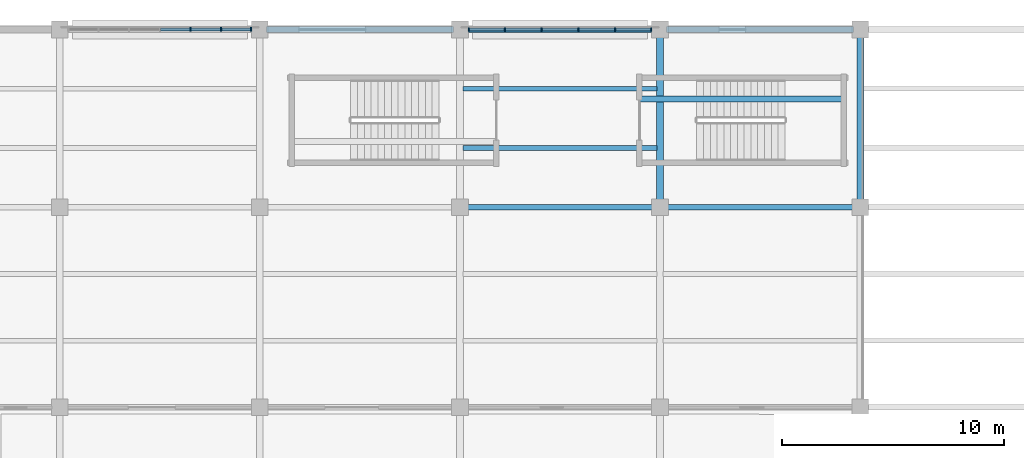
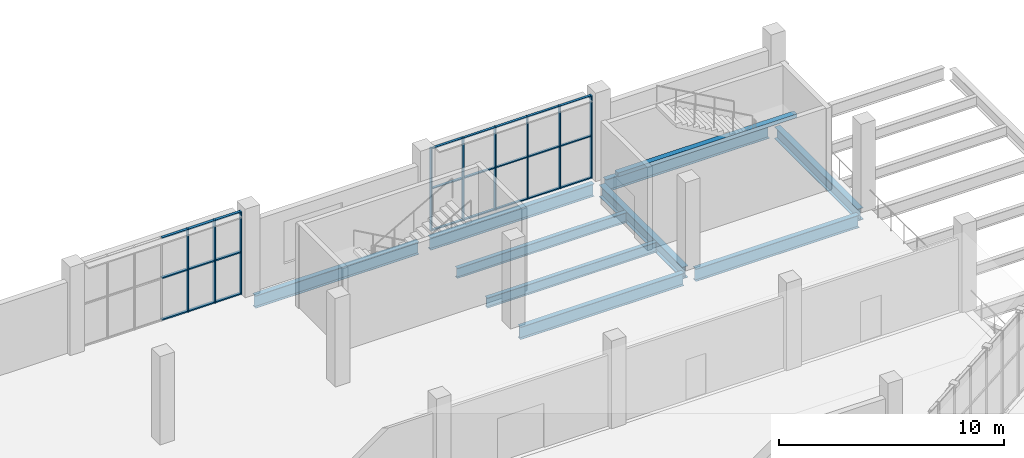
# One storey, part 56 of 179: 33 members, 10 beams, 2 elements without a shape of their own.
"""IFC4 building model written with IfcOpenShell, lengths in metres."""

from ifc_helpers import new_model, si_unit, direction, frame, origin, origin_2d, place, context, subcontext, project, spatial, rectangle, i_section, extrude, material, material_profile, profile_set, type_object, element, aggregate, save


model = new_model("IFC4")

# Units and contexts
model_context = context("Model", 3, precision=1e-05, world=origin(), true_north=direction((0.0, 1.0)))
body_context = subcontext(model_context, "Body", "Model", "MODEL_VIEW")
ifc_project = project(units=[si_unit("LENGTHUNIT", "METRE"), si_unit("AREAUNIT", "SQUARE_METRE"), si_unit("VOLUMEUNIT", "CUBIC_METRE"), si_unit("PLANEANGLEUNIT", "RADIAN"), si_unit("MASSUNIT", "GRAM", prefix="KILO")], contexts=[model_context])

# Site, building, storey
site_placement = place(None, origin())
site = spatial("IfcSite", under=ifc_project, at=site_placement, CompositionType="ELEMENT")
building_placement = place(site_placement, origin())
building = spatial("IfcBuilding", under=site, at=building_placement, Name="Zevraka Park Crest Stadium", CompositionType="ELEMENT")
storey_placement = place(building_placement, frame((0.0, 0.0, 10.199951171875)))
storey = spatial("IfcBuildingStorey", under=building, at=storey_placement, Name="L02", CompositionType="ELEMENT", Elevation=10.199951171875)

# Beams
ifc_material_1 = material(Name="Steel S355", Category="steel")
ifc_material_profile_1 = material_profile(ifc_material_1, i_section(OverallWidth=0.253662109375, OverallDepth=0.68359375, WebThickness=0.012451171875, FlangeThickness=0.01904296875, at=origin_2d()), Name="UKB 686x254x140")
ifc_profile_set_1 = profile_set([ifc_material_profile_1], Name="Steel S355")
beam_type_1 = type_object("IfcBeamType", Name="BG05", PredefinedType="BEAM", material=ifc_profile_set_1)
for number, where, z_axis, x_axis, name in (
    (1, (36.300048828125, 184.0, -0.629638671875), (1.0, 0.0, 0.0), (0.0, 1.0, 0.0), "Wing Girder BG05 L02-56/W"),
    (2, (45.300048828125, 176.0, -0.629638671875), (1.0, 0.0, 0.0), (0.0, 1.0, 0.0), "Wing Girder BG05 L02-67/V"),
    (3, (45.300048828125, 184.0, -0.629638671875), (1.0, 0.0, 0.0), (0.0, 1.0, 0.0), "Wing Girder BG05 L02-67/W"),
    (4, (54.300048828125, 176.0, -0.629638671875), (1.0, 0.0, 0.0), (0.0, 1.0, 0.0), "Wing Girder BG05 L02-78/V"),
    (5, (54.300048828125, 184.0, -0.629638671875), (1.0, 0.0, 0.0), (0.0, 1.0, 0.0), "Wing Girder BG05 L02-78/W"),
):
    element("IfcBeam", number, at=place(storey_placement, frame(where, z_axis=z_axis, x_axis=x_axis)), inside=storey, type_object=beam_type_1, Name=name, PredefinedType="BEAM", context=body_context, shape_type="SweptSolid", body=[
        extrude(i_section(OverallWidth=0.253662109375, OverallDepth=0.68359375, WebThickness=0.012451171875, FlangeThickness=0.01904296875, at=origin_2d()), origin(), (0.0, 0.0, 1.0), 8.39990234375),
    ])
ifc_material_2 = material(Name="Steel S355", Category="steel")
ifc_material_profile_2 = material_profile(ifc_material_2, i_section(OverallWidth=0.300048828125, OverallDepth=0.64990234375, WebThickness=0.01611328125, FlangeThickness=0.031005859375, at=origin_2d()), Name="HEB 650")
ifc_profile_set_2 = profile_set([ifc_material_profile_2], Name="Steel S355")
beam_type_2 = type_object("IfcBeamType", Name="BG07", PredefinedType="BEAM", material=ifc_profile_set_2)
for number, where, z_axis, x_axis, name in (
    (6, (54.0, 176.300048828125, -0.613037109375), (0.0, 1.0, 0.0), (-1.0, 0.0, 0.0), "Wing Girder BG07 L02-7/VW"),
    (7, (63.0, 176.300048828125, -0.613037109375), (0.0, 1.0, 0.0), (-1.0, 0.0, 0.0), "Wing Girder BG07 L02-8/VW"),
):
    element("IfcBeam", number, at=place(storey_placement, frame(where, z_axis=z_axis, x_axis=x_axis)), inside=storey, type_object=beam_type_2, Name=name, PredefinedType="BEAM", context=body_context, shape_type="SweptSolid", body=[
        extrude(i_section(OverallWidth=0.300048828125, OverallDepth=0.64990234375, WebThickness=0.01611328125, FlangeThickness=0.031005859375, at=origin_2d()), origin(), (0.0, 0.0, 1.0), 7.39990234375),
    ])

# Curtain wall, members
ifc_material_3 = material(Name="Anodised architectural aluminium and laminated safety glass", Category="aluminium")
curtain_wall_type_1 = type_object("IfcCurtainWallType", Name="CW28", PredefinedType="NOTDEFINED", material=ifc_material_3)
curtain_wall_1_placement = place(storey_placement, origin())
curtain_wall_1 = element("IfcCurtainWall", 8, at=curtain_wall_1_placement, inside=storey, type_object=curtain_wall_type_1, Name="Wing Curtain Wall CW28 L02-NW-N2-6", PredefinedType="NOTDEFINED")
ifc_material_4 = material(Name="Anodised architectural aluminium", Category="aluminium")
ifc_material_profile_3 = material_profile(ifc_material_4, rectangle(XDim=0.159912109375, YDim=0.06005859375, at=origin_2d()), Name="ALU MULLION 160x60")
ifc_profile_set_3 = profile_set([ifc_material_profile_3], Name="Anodised architectural aluminium")
member_type_1 = type_object("IfcMemberType", Name="CM01", PredefinedType="MULLION", material=ifc_profile_set_3)
member_1_placement = place(storey_placement, frame((45.39501953125, 184.0, 0.0), z_axis=(0.0, 0.0, 1.0), x_axis=(0.0, 1.0, 0.0)))
member_1 = element("IfcMember", 9, at=member_1_placement, type_object=member_type_1, Name="CW28 mullion 1", PredefinedType="MULLION", context=body_context, shape_type="SweptSolid", body=[
    extrude(rectangle(XDim=0.159912109375, YDim=0.06005859375, at=origin_2d()), origin(), (0.0, 0.0, 1.0), 4.5),
])
member_2_placement = place(storey_placement, frame((47.01904296875, 184.0, 0.0), z_axis=(0.0, 0.0, 1.0), x_axis=(0.0, 1.0, 0.0)))
member_2 = element("IfcMember", 10, at=member_2_placement, type_object=member_type_1, Name="CW28 mullion 2", PredefinedType="MULLION", context=body_context, shape_type="SweptSolid", body=[
    extrude(rectangle(XDim=0.159912109375, YDim=0.06005859375, at=origin_2d()), origin(), (0.0, 0.0, 1.0), 4.5),
])
member_3_placement = place(storey_placement, frame((48.673095703125, 184.0, 0.0), z_axis=(0.0, 0.0, 1.0), x_axis=(0.0, 1.0, 0.0)))
member_3 = element("IfcMember", 11, at=member_3_placement, type_object=member_type_1, Name="CW28 mullion 3", PredefinedType="MULLION", context=body_context, shape_type="SweptSolid", body=[
    extrude(rectangle(XDim=0.159912109375, YDim=0.06005859375, at=origin_2d()), origin(), (0.0, 0.0, 1.0), 4.5),
])
member_4_placement = place(storey_placement, frame((50.326904296875, 184.0, 0.0), z_axis=(0.0, 0.0, 1.0), x_axis=(0.0, 1.0, 0.0)))
member_4 = element("IfcMember", 12, at=member_4_placement, type_object=member_type_1, Name="CW28 mullion 4", PredefinedType="MULLION", context=body_context, shape_type="SweptSolid", body=[
    extrude(rectangle(XDim=0.159912109375, YDim=0.06005859375, at=origin_2d()), origin(), (0.0, 0.0, 1.0), 4.5),
])
member_5_placement = place(storey_placement, frame((51.98095703125, 184.0, 0.0), z_axis=(0.0, 0.0, 1.0), x_axis=(0.0, 1.0, 0.0)))
member_5 = element("IfcMember", 13, at=member_5_placement, type_object=member_type_1, Name="CW28 mullion 5", PredefinedType="MULLION", context=body_context, shape_type="SweptSolid", body=[
    extrude(rectangle(XDim=0.159912109375, YDim=0.06005859375, at=origin_2d()), origin(), (0.0, 0.0, 1.0), 4.5),
])
member_6_placement = place(storey_placement, frame((53.60498046875, 184.0, 0.0), z_axis=(0.0, 0.0, 1.0), x_axis=(0.0, 1.0, 0.0)))
member_6 = element("IfcMember", 14, at=member_6_placement, type_object=member_type_1, Name="CW28 mullion 6", PredefinedType="MULLION", context=body_context, shape_type="SweptSolid", body=[
    extrude(rectangle(XDim=0.159912109375, YDim=0.06005859375, at=origin_2d()), origin(), (0.0, 0.0, 1.0), 4.5),
])

ifc_material_5 = material(Name="Anodised architectural aluminium and laminated safety glass", Category="aluminium")
curtain_wall_type_2 = type_object("IfcCurtainWallType", Name="CW26", PredefinedType="NOTDEFINED", material=ifc_material_5)
curtain_wall_2_placement = place(storey_placement, origin())
curtain_wall_2 = element("IfcCurtainWall", 15, at=curtain_wall_2_placement, inside=storey, type_object=curtain_wall_type_2, Name="Wing Curtain Wall CW26 L02-NW-N2-4", PredefinedType="NOTDEFINED")
ifc_material_6 = material(Name="Anodised architectural aluminium", Category="aluminium")
ifc_material_profile_4 = material_profile(ifc_material_6, rectangle(XDim=0.179931640625, YDim=0.06494140625, at=origin_2d()), Name="ALU MULLION 180x65")
ifc_profile_set_4 = profile_set([ifc_material_profile_4], Name="Anodised architectural aluminium")
member_type_2 = type_object("IfcMemberType", Name="CM02", PredefinedType="MULLION", material=ifc_profile_set_4)
member_7_placement = place(storey_placement, frame((32.87841796875, 184.0, 0.0), z_axis=(0.0, 0.0, 1.0), x_axis=(0.0, 1.0, 0.0)))
member_7 = element("IfcMember", 16, at=member_7_placement, type_object=member_type_2, Name="CW26 mullion 5", PredefinedType="MULLION", context=body_context, shape_type="SweptSolid", body=[
    extrude(rectangle(XDim=0.179931640625, YDim=0.06494140625, at=origin_2d()), origin(), (0.0, 0.0, 1.0), 4.5),
])
member_8_placement = place(storey_placement, frame((34.256591796875, 184.0, 0.0), z_axis=(0.0, 0.0, 1.0), x_axis=(0.0, 1.0, 0.0)))
member_8 = element("IfcMember", 17, at=member_8_placement, type_object=member_type_2, Name="CW26 mullion 6", PredefinedType="MULLION", context=body_context, shape_type="SweptSolid", body=[
    extrude(rectangle(XDim=0.179931640625, YDim=0.06494140625, at=origin_2d()), origin(), (0.0, 0.0, 1.0), 4.5),
])
member_9_placement = place(storey_placement, frame((35.6025390625, 184.0, 0.0), z_axis=(0.0, 0.0, 1.0), x_axis=(0.0, 1.0, 0.0)))
member_9 = element("IfcMember", 18, at=member_9_placement, type_object=member_type_2, Name="CW26 mullion 7", PredefinedType="MULLION", context=body_context, shape_type="SweptSolid", body=[
    extrude(rectangle(XDim=0.179931640625, YDim=0.06494140625, at=origin_2d()), origin(), (0.0, 0.0, 1.0), 4.5),
])

# Member
ifc_material_7 = material(Name="Anodised architectural aluminium", Category="aluminium")
ifc_material_profile_5 = material_profile(ifc_material_7, rectangle(XDim=0.1201171875, YDim=0.06005859375, at=origin_2d()), Name="ALU TRANSOM 120x60")
ifc_profile_set_5 = profile_set([ifc_material_profile_5], Name="Anodised architectural aluminium")
member_type_3 = type_object("IfcMemberType", Name="CT01", PredefinedType="USERDEFINED", material=ifc_profile_set_5)
member_10_placement = place(storey_placement, frame((45.425048828125, 184.0, 0.030029296875), z_axis=(1.0, 0.0, 0.0), x_axis=(0.0, 1.0, 0.0)))
member_10 = element("IfcMember", 19, at=member_10_placement, type_object=member_type_3, Name="CW28 transom 1.1", ObjectType="TRANSOM", PredefinedType="USERDEFINED", context=body_context, shape_type="SweptSolid", body=[
    extrude(rectangle(XDim=0.1201171875, YDim=0.06005859375, at=origin_2d()), origin(), (0.0, 0.0, 1.0), 1.56396484375),
])

member_11_placement = place(storey_placement, frame((45.425048828125, 184.0, 2.300048828125), z_axis=(1.0, 0.0, 0.0), x_axis=(0.0, 1.0, 0.0)))
member_11 = element("IfcMember", 20, at=member_11_placement, type_object=member_type_3, Name="CW28 transom 1.2", ObjectType="TRANSOM", PredefinedType="USERDEFINED", context=body_context, shape_type="SweptSolid", body=[
    extrude(rectangle(XDim=0.1201171875, YDim=0.06005859375, at=origin_2d()), origin(), (0.0, 0.0, 1.0), 1.56396484375),
])

member_12_placement = place(storey_placement, frame((45.425048828125, 184.0, 4.469970703125), z_axis=(1.0, 0.0, 0.0), x_axis=(0.0, 1.0, 0.0)))
member_12 = element("IfcMember", 21, at=member_12_placement, type_object=member_type_3, Name="CW28 transom 1.3", ObjectType="TRANSOM", PredefinedType="USERDEFINED", context=body_context, shape_type="SweptSolid", body=[
    extrude(rectangle(XDim=0.1201171875, YDim=0.06005859375, at=origin_2d()), origin(), (0.0, 0.0, 1.0), 1.56396484375),
])

member_13_placement = place(storey_placement, frame((47.049072265625, 184.0, 0.030029296875), z_axis=(1.0, 0.0, 0.0), x_axis=(0.0, 1.0, 0.0)))
member_13 = element("IfcMember", 22, at=member_13_placement, type_object=member_type_3, Name="CW28 transom 2.1", ObjectType="TRANSOM", PredefinedType="USERDEFINED", context=body_context, shape_type="SweptSolid", body=[
    extrude(rectangle(XDim=0.1201171875, YDim=0.06005859375, at=origin_2d()), origin(), (0.0, 0.0, 1.0), 1.593994140625),
])

member_14_placement = place(storey_placement, frame((47.049072265625, 184.0, 2.300048828125), z_axis=(1.0, 0.0, 0.0), x_axis=(0.0, 1.0, 0.0)))
member_14 = element("IfcMember", 23, at=member_14_placement, type_object=member_type_3, Name="CW28 transom 2.2", ObjectType="TRANSOM", PredefinedType="USERDEFINED", context=body_context, shape_type="SweptSolid", body=[
    extrude(rectangle(XDim=0.1201171875, YDim=0.06005859375, at=origin_2d()), origin(), (0.0, 0.0, 1.0), 1.593994140625),
])

member_15_placement = place(storey_placement, frame((47.049072265625, 184.0, 4.469970703125), z_axis=(1.0, 0.0, 0.0), x_axis=(0.0, 1.0, 0.0)))
member_15 = element("IfcMember", 24, at=member_15_placement, type_object=member_type_3, Name="CW28 transom 2.3", ObjectType="TRANSOM", PredefinedType="USERDEFINED", context=body_context, shape_type="SweptSolid", body=[
    extrude(rectangle(XDim=0.1201171875, YDim=0.06005859375, at=origin_2d()), origin(), (0.0, 0.0, 1.0), 1.593994140625),
])

member_16_placement = place(storey_placement, frame((48.702880859375, 184.0, 0.030029296875), z_axis=(1.0, 0.0, 0.0), x_axis=(0.0, 1.0, 0.0)))
member_16 = element("IfcMember", 25, at=member_16_placement, type_object=member_type_3, Name="CW28 transom 3.1", ObjectType="TRANSOM", PredefinedType="USERDEFINED", context=body_context, shape_type="SweptSolid", body=[
    extrude(rectangle(XDim=0.1201171875, YDim=0.06005859375, at=origin_2d()), origin(), (0.0, 0.0, 1.0), 1.59423828125),
])

member_17_placement = place(storey_placement, frame((48.702880859375, 184.0, 2.300048828125), z_axis=(1.0, 0.0, 0.0), x_axis=(0.0, 1.0, 0.0)))
member_17 = element("IfcMember", 26, at=member_17_placement, type_object=member_type_3, Name="CW28 transom 3.2", ObjectType="TRANSOM", PredefinedType="USERDEFINED", context=body_context, shape_type="SweptSolid", body=[
    extrude(rectangle(XDim=0.1201171875, YDim=0.06005859375, at=origin_2d()), origin(), (0.0, 0.0, 1.0), 1.59423828125),
])

member_18_placement = place(storey_placement, frame((48.702880859375, 184.0, 4.469970703125), z_axis=(1.0, 0.0, 0.0), x_axis=(0.0, 1.0, 0.0)))
member_18 = element("IfcMember", 27, at=member_18_placement, type_object=member_type_3, Name="CW28 transom 3.3", ObjectType="TRANSOM", PredefinedType="USERDEFINED", context=body_context, shape_type="SweptSolid", body=[
    extrude(rectangle(XDim=0.1201171875, YDim=0.06005859375, at=origin_2d()), origin(), (0.0, 0.0, 1.0), 1.59423828125),
])

member_19_placement = place(storey_placement, frame((50.35693359375, 184.0, 0.030029296875), z_axis=(1.0, 0.0, 0.0), x_axis=(0.0, 1.0, 0.0)))
member_19 = element("IfcMember", 28, at=member_19_placement, type_object=member_type_3, Name="CW28 transom 4.1", ObjectType="TRANSOM", PredefinedType="USERDEFINED", context=body_context, shape_type="SweptSolid", body=[
    extrude(rectangle(XDim=0.1201171875, YDim=0.06005859375, at=origin_2d()), origin(), (0.0, 0.0, 1.0), 1.593994140625),
])

member_20_placement = place(storey_placement, frame((50.35693359375, 184.0, 2.300048828125), z_axis=(1.0, 0.0, 0.0), x_axis=(0.0, 1.0, 0.0)))
member_20 = element("IfcMember", 29, at=member_20_placement, type_object=member_type_3, Name="CW28 transom 4.2", ObjectType="TRANSOM", PredefinedType="USERDEFINED", context=body_context, shape_type="SweptSolid", body=[
    extrude(rectangle(XDim=0.1201171875, YDim=0.06005859375, at=origin_2d()), origin(), (0.0, 0.0, 1.0), 1.593994140625),
])

member_21_placement = place(storey_placement, frame((50.35693359375, 184.0, 4.469970703125), z_axis=(1.0, 0.0, 0.0), x_axis=(0.0, 1.0, 0.0)))
member_21 = element("IfcMember", 30, at=member_21_placement, type_object=member_type_3, Name="CW28 transom 4.3", ObjectType="TRANSOM", PredefinedType="USERDEFINED", context=body_context, shape_type="SweptSolid", body=[
    extrude(rectangle(XDim=0.1201171875, YDim=0.06005859375, at=origin_2d()), origin(), (0.0, 0.0, 1.0), 1.593994140625),
])

member_22_placement = place(storey_placement, frame((52.010986328125, 184.0, 0.030029296875), z_axis=(1.0, 0.0, 0.0), x_axis=(0.0, 1.0, 0.0)))
member_22 = element("IfcMember", 31, at=member_22_placement, type_object=member_type_3, Name="CW28 transom 5.1", ObjectType="TRANSOM", PredefinedType="USERDEFINED", context=body_context, shape_type="SweptSolid", body=[
    extrude(rectangle(XDim=0.1201171875, YDim=0.06005859375, at=origin_2d()), origin(), (0.0, 0.0, 1.0), 1.56396484375),
])

member_23_placement = place(storey_placement, frame((52.010986328125, 184.0, 2.300048828125), z_axis=(1.0, 0.0, 0.0), x_axis=(0.0, 1.0, 0.0)))
member_23 = element("IfcMember", 32, at=member_23_placement, type_object=member_type_3, Name="CW28 transom 5.2", ObjectType="TRANSOM", PredefinedType="USERDEFINED", context=body_context, shape_type="SweptSolid", body=[
    extrude(rectangle(XDim=0.1201171875, YDim=0.06005859375, at=origin_2d()), origin(), (0.0, 0.0, 1.0), 1.56396484375),
])

member_24_placement = place(storey_placement, frame((52.010986328125, 184.0, 4.469970703125), z_axis=(1.0, 0.0, 0.0), x_axis=(0.0, 1.0, 0.0)))
member_24 = element("IfcMember", 33, at=member_24_placement, type_object=member_type_3, Name="CW28 transom 5.3", ObjectType="TRANSOM", PredefinedType="USERDEFINED", context=body_context, shape_type="SweptSolid", body=[
    extrude(rectangle(XDim=0.1201171875, YDim=0.06005859375, at=origin_2d()), origin(), (0.0, 0.0, 1.0), 1.56396484375),
])

aggregate(curtain_wall_1, [member_1, member_2, member_3, member_4, member_5, member_6, member_10, member_11, member_12, member_13, member_14, member_15, member_16, member_17, member_18, member_19, member_20, member_21, member_22, member_23, member_24])

ifc_material_8 = material(Name="Anodised architectural aluminium", Category="aluminium")
ifc_material_profile_6 = material_profile(ifc_material_8, rectangle(XDim=0.139892578125, YDim=0.06494140625, at=origin_2d()), Name="ALU TRANSOM 140x65")
ifc_profile_set_6 = profile_set([ifc_material_profile_6], Name="Anodised architectural aluminium")
member_type_4 = type_object("IfcMemberType", Name="CT02", PredefinedType="USERDEFINED", material=ifc_profile_set_6)
member_25_placement = place(storey_placement, frame((31.532470703125, 184.0, 0.032470703125), z_axis=(1.0, 0.0, 0.0), x_axis=(0.0, 1.0, 0.0)))
member_25 = element("IfcMember", 34, at=member_25_placement, type_object=member_type_4, Name="CW26 transom 4.1", ObjectType="TRANSOM", PredefinedType="USERDEFINED", context=body_context, shape_type="SweptSolid", body=[
    extrude(rectangle(XDim=0.139892578125, YDim=0.06494140625, at=origin_2d()), origin(), (0.0, 0.0, 1.0), 1.3134765625),
])

member_26_placement = place(storey_placement, frame((31.532470703125, 184.0, 2.300048828125), z_axis=(1.0, 0.0, 0.0), x_axis=(0.0, 1.0, 0.0)))
member_26 = element("IfcMember", 35, at=member_26_placement, type_object=member_type_4, Name="CW26 transom 4.2", ObjectType="TRANSOM", PredefinedType="USERDEFINED", context=body_context, shape_type="SweptSolid", body=[
    extrude(rectangle(XDim=0.139892578125, YDim=0.06494140625, at=origin_2d()), origin(), (0.0, 0.0, 1.0), 1.3134765625),
])

member_27_placement = place(storey_placement, frame((31.532470703125, 184.0, 4.467529296875), z_axis=(1.0, 0.0, 0.0), x_axis=(0.0, 1.0, 0.0)))
member_27 = element("IfcMember", 36, at=member_27_placement, type_object=member_type_4, Name="CW26 transom 4.3", ObjectType="TRANSOM", PredefinedType="USERDEFINED", context=body_context, shape_type="SweptSolid", body=[
    extrude(rectangle(XDim=0.139892578125, YDim=0.06494140625, at=origin_2d()), origin(), (0.0, 0.0, 1.0), 1.3134765625),
])

member_28_placement = place(storey_placement, frame((32.910888671875, 184.0, 0.032470703125), z_axis=(1.0, 0.0, 0.0), x_axis=(0.0, 1.0, 0.0)))
member_28 = element("IfcMember", 37, at=member_28_placement, type_object=member_type_4, Name="CW26 transom 5.1", ObjectType="TRANSOM", PredefinedType="USERDEFINED", context=body_context, shape_type="SweptSolid", body=[
    extrude(rectangle(XDim=0.139892578125, YDim=0.06494140625, at=origin_2d()), origin(), (0.0, 0.0, 1.0), 1.313232421875),
])

member_29_placement = place(storey_placement, frame((32.910888671875, 184.0, 2.300048828125), z_axis=(1.0, 0.0, 0.0), x_axis=(0.0, 1.0, 0.0)))
member_29 = element("IfcMember", 38, at=member_29_placement, type_object=member_type_4, Name="CW26 transom 5.2", ObjectType="TRANSOM", PredefinedType="USERDEFINED", context=body_context, shape_type="SweptSolid", body=[
    extrude(rectangle(XDim=0.139892578125, YDim=0.06494140625, at=origin_2d()), origin(), (0.0, 0.0, 1.0), 1.313232421875),
])

member_30_placement = place(storey_placement, frame((32.910888671875, 184.0, 4.467529296875), z_axis=(1.0, 0.0, 0.0), x_axis=(0.0, 1.0, 0.0)))
member_30 = element("IfcMember", 39, at=member_30_placement, type_object=member_type_4, Name="CW26 transom 5.3", ObjectType="TRANSOM", PredefinedType="USERDEFINED", context=body_context, shape_type="SweptSolid", body=[
    extrude(rectangle(XDim=0.139892578125, YDim=0.06494140625, at=origin_2d()), origin(), (0.0, 0.0, 1.0), 1.313232421875),
])

member_31_placement = place(storey_placement, frame((34.2890625, 184.0, 0.032470703125), z_axis=(1.0, 0.0, 0.0), x_axis=(0.0, 1.0, 0.0)))
member_31 = element("IfcMember", 40, at=member_31_placement, type_object=member_type_4, Name="CW26 transom 6.1", ObjectType="TRANSOM", PredefinedType="USERDEFINED", context=body_context, shape_type="SweptSolid", body=[
    extrude(rectangle(XDim=0.139892578125, YDim=0.06494140625, at=origin_2d()), origin(), (0.0, 0.0, 1.0), 1.281005859375),
])

member_32_placement = place(storey_placement, frame((34.2890625, 184.0, 2.300048828125), z_axis=(1.0, 0.0, 0.0), x_axis=(0.0, 1.0, 0.0)))
member_32 = element("IfcMember", 41, at=member_32_placement, type_object=member_type_4, Name="CW26 transom 6.2", ObjectType="TRANSOM", PredefinedType="USERDEFINED", context=body_context, shape_type="SweptSolid", body=[
    extrude(rectangle(XDim=0.139892578125, YDim=0.06494140625, at=origin_2d()), origin(), (0.0, 0.0, 1.0), 1.281005859375),
])

member_33_placement = place(storey_placement, frame((34.2890625, 184.0, 4.467529296875), z_axis=(1.0, 0.0, 0.0), x_axis=(0.0, 1.0, 0.0)))
member_33 = element("IfcMember", 42, at=member_33_placement, type_object=member_type_4, Name="CW26 transom 6.3", ObjectType="TRANSOM", PredefinedType="USERDEFINED", context=body_context, shape_type="SweptSolid", body=[
    extrude(rectangle(XDim=0.139892578125, YDim=0.06494140625, at=origin_2d()), origin(), (0.0, 0.0, 1.0), 1.281005859375),
])

aggregate(curtain_wall_2, [member_7, member_8, member_9, member_25, member_26, member_27, member_28, member_29, member_30, member_31, member_32, member_33])

# Beams
ifc_material_9 = material(Name="Steel S355", Category="steel")
ifc_material_profile_7 = material_profile(ifc_material_9, i_section(OverallWidth=0.2099609375, OverallDepth=0.550048828125, WebThickness=0.010986328125, FlangeThickness=0.01708984375, at=origin_2d()), Name="IPE 550")
ifc_profile_set_7 = profile_set([ifc_material_profile_7], Name="Steel S355")
beam_type_3 = type_object("IfcBeamType", Name="SJ04", PredefinedType="JOIST", material=ifc_profile_set_7)
for number, where, z_axis, x_axis, name in (
    (43, (45.14501953125, 178.6669921875, -0.56494140625), (1.0, 0.0, 0.0), (0.0, 1.0, 0.0), "Wing Joist SJ04 L02-6/V-1"),
    (44, (45.14501953125, 181.3330078125, -0.56494140625), (1.0, 0.0, 0.0), (0.0, 1.0, 0.0), "Wing Joist SJ04 L02-6/V-2"),
):
    element("IfcBeam", number, at=place(storey_placement, frame(where, z_axis=z_axis, x_axis=x_axis)), inside=storey, type_object=beam_type_3, Name=name, PredefinedType="JOIST", context=body_context, shape_type="SweptSolid", body=[
        extrude(i_section(OverallWidth=0.2099609375, OverallDepth=0.550048828125, WebThickness=0.010986328125, FlangeThickness=0.01708984375, at=origin_2d()), origin(), (0.0, 0.0, 1.0), 8.7099609375),
    ])
ifc_material_10 = material(Name="Concrete C40/50", Category="concrete")
ifc_material_profile_8 = material_profile(ifc_material_10, rectangle(XDim=0.280029296875, YDim=0.199951171875, at=origin_2d()), Name="RC 200x280")
ifc_profile_set_8 = profile_set([ifc_material_profile_8], Name="Concrete C40/50")
beam_type_4 = type_object("IfcBeamType", Name="SJ13", PredefinedType="JOIST", material=ifc_profile_set_8)
beam_placement = place(storey_placement, frame((53.10009765625, 180.875, 2.300048828125), z_axis=(1.0, 0.0, 0.0), x_axis=(0.0, 1.0, 0.0)))
element("IfcBeam", 45, at=beam_placement, inside=storey, type_object=beam_type_4, Name="Stair Upper-Flight Longitudinal Stringer SJ13 ST50-L02", PredefinedType="JOIST", context=body_context, shape_type="SweptSolid", body=[
    extrude(rectangle(XDim=0.280029296875, YDim=0.199951171875, at=origin_2d()), origin(), (0.0, 0.0, 1.0), 9.199951171875),
])

save(model, "model.ifc")
